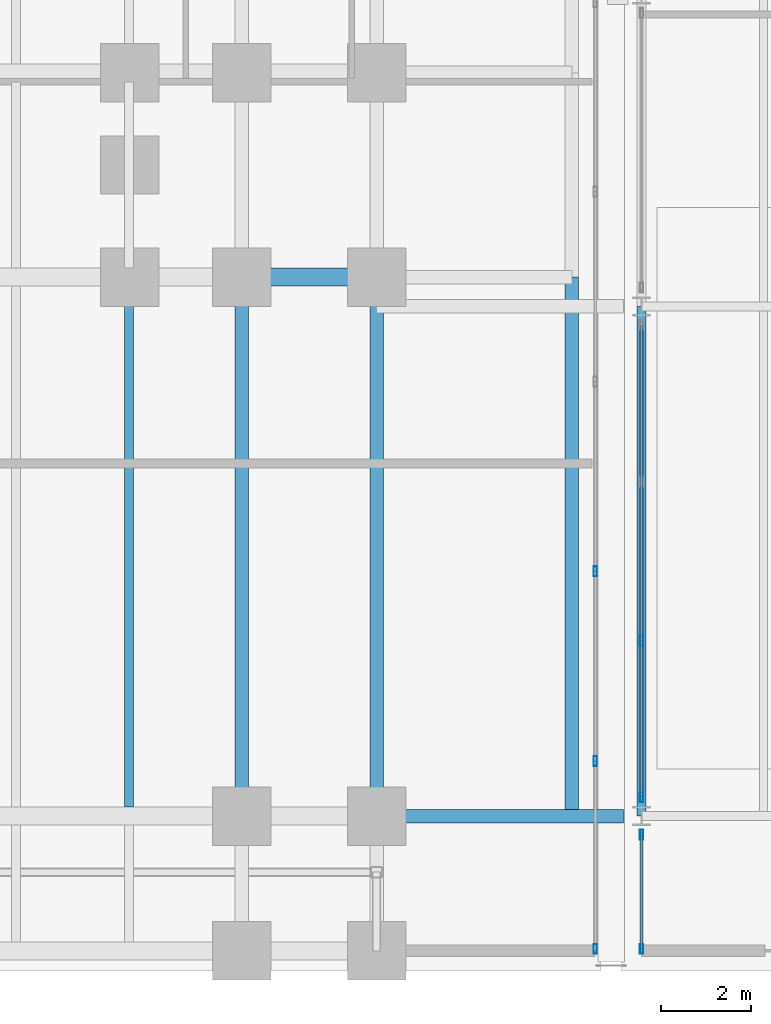
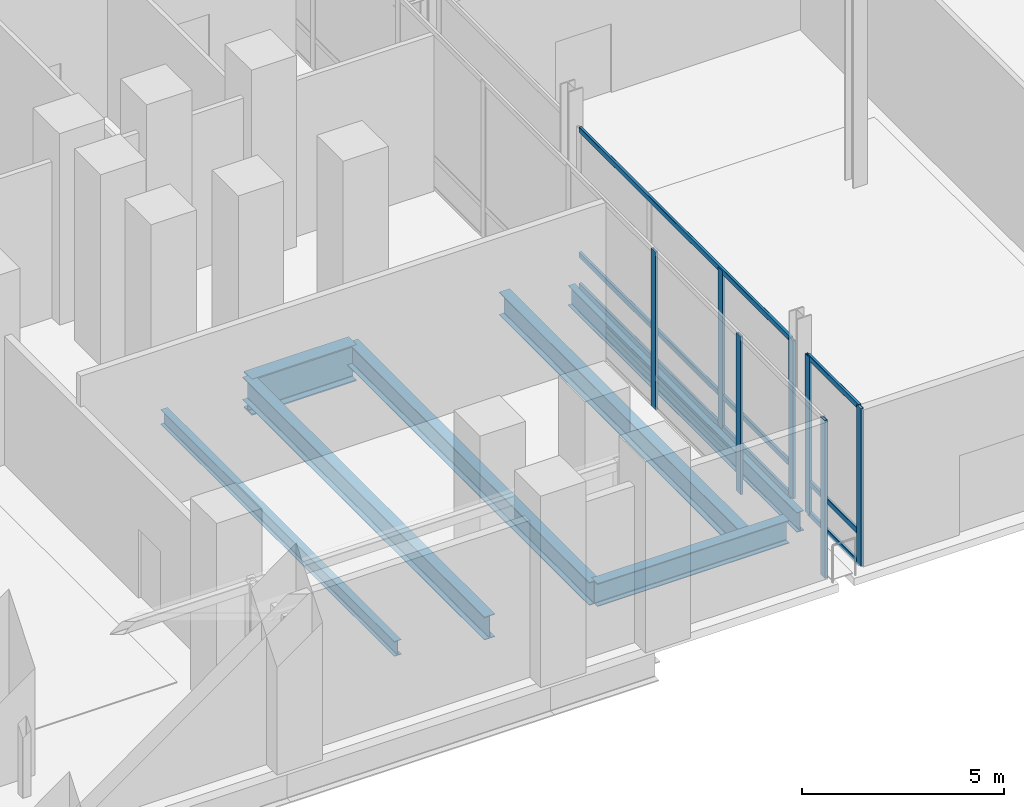
# One storey, part 8 of 36: 13 members, 7 beams, 3 elements without a shape of their own.
"""IFC4 building model written with IfcOpenShell, lengths in metres."""

from ifc_helpers import new_model, si_unit, direction, frame, origin, origin_2d, place, context, subcontext, project, spatial, hollow_rectangle, i_section, extrude, material, material_profile, profile_set, type_object, element, aggregate, save


model = new_model("IFC4")

# Units and contexts
model_context = context("Model", 3, precision=1e-05, world=origin(), true_north=direction((0.0, 1.0)))
body_context = subcontext(model_context, "Body", "Model", "MODEL_VIEW")
ifc_project = project(units=[si_unit("LENGTHUNIT", "METRE"), si_unit("AREAUNIT", "SQUARE_METRE"), si_unit("VOLUMEUNIT", "CUBIC_METRE"), si_unit("PLANEANGLEUNIT", "RADIAN"), si_unit("MASSUNIT", "GRAM", prefix="KILO")], contexts=[model_context])

# Site, building, storey
site_placement = place(None, origin())
site = spatial("IfcSite", under=ifc_project, at=site_placement, CompositionType="ELEMENT")
building_placement = place(site_placement, origin())
building = spatial("IfcBuilding", under=site, at=building_placement, Name="Noeulbin Bourse Tower", CompositionType="ELEMENT")
storey_placement = place(building_placement, origin())
storey = spatial("IfcBuildingStorey", under=building, at=storey_placement, Name="L01", CompositionType="ELEMENT", Elevation=0.0)

# Beams
ifc_material_1 = material(Name="Steel S355", Category="steel")
ifc_material_profile_1 = material_profile(ifc_material_1, i_section(OverallWidth=0.199951171875, OverallDepth=0.60009765625, WebThickness=0.010986328125, FlangeThickness=0.01708984375, FilletRadius=0.02197265625, at=origin_2d()), Name="H-600x200x11x17", Category="LoadBearing")
ifc_profile_set_1 = profile_set([ifc_material_profile_1], Name="Steel S355")
beam_type_1 = type_object("IfcBeamType", Name="BM-GRD-600", PredefinedType="USERDEFINED", material=ifc_profile_set_1)
beam_1_placement = place(storey_placement, frame((60.449951171875, 3.449951171875, -0.52001953125), z_axis=(0.0, 1.0, 0.0), x_axis=(-1.0, 0.0, 0.0)))
element("IfcBeam", 1, at=beam_1_placement, inside=storey, type_object=beam_type_1, Name="Market Hall Girder NS L01-11", ObjectType="GIRDER", PredefinedType="USERDEFINED", context=body_context, shape_type="SweptSolid", body=[
    extrude(i_section(OverallWidth=0.199951171875, OverallDepth=0.60009765625, WebThickness=0.010986328125, FlangeThickness=0.01708984375, FilletRadius=0.02197265625, at=origin_2d()), origin(), (0.0, 0.0, 1.0), 11.35009765625),
])
ifc_material_profile_2 = material_profile(ifc_material_1, i_section(OverallWidth=0.300048828125, OverallDepth=0.699951171875, WebThickness=0.012939453125, FlangeThickness=0.02392578125, FilletRadius=0.02392578125, at=origin_2d()), Name="H-700x300x13x24", Category="LoadBearing")
ifc_profile_set_2 = profile_set([ifc_material_profile_2], Name="Steel S355")
beam_type_2 = type_object("IfcBeamType", Name="BM-GRD-700", PredefinedType="USERDEFINED", material=ifc_profile_set_2)
for number, where, z_axis, x_axis, name in (
    (2, (51.550048828125, 3.449951171875, -0.60009765625), (0.0, 1.0, 0.0), (-1.0, 0.0, 0.0), "Podium Primary Girder NS L01-125"),
    (3, (54.550048828125, 3.449951171875, -0.60009765625), (0.0, 1.0, 0.0), (-1.0, 0.0, 0.0), "Podium Primary Girder NS L01-133"),
):
    element("IfcBeam", number, at=place(storey_placement, frame(where, z_axis=z_axis, x_axis=x_axis)), inside=storey, type_object=beam_type_2, Name=name, ObjectType="GIRDER", PredefinedType="USERDEFINED", context=body_context, shape_type="SweptSolid", body=[
        extrude(i_section(OverallWidth=0.300048828125, OverallDepth=0.699951171875, WebThickness=0.012939453125, FlangeThickness=0.02392578125, FilletRadius=0.02392578125, at=origin_2d()), origin(), (0.0, 0.0, 1.0), 12.0),
    ])
beam_2_placement = place(storey_placement, frame((54.550048828125, 3.449951171875, -0.60009765625), z_axis=(1.0, 0.0, 0.0), x_axis=(0.0, 1.0, 0.0)))
element("IfcBeam", 4, at=beam_2_placement, inside=storey, type_object=beam_type_2, Name="Concourse Slot Girder L01-01", ObjectType="GIRDER", PredefinedType="USERDEFINED", context=body_context, shape_type="SweptSolid", body=[
    extrude(i_section(OverallWidth=0.300048828125, OverallDepth=0.699951171875, WebThickness=0.012939453125, FlangeThickness=0.02392578125, FilletRadius=0.02392578125, at=origin_2d()), origin(), (0.0, 0.0, 1.0), 5.5),
])
beam_3_placement = place(storey_placement, frame((58.89990234375, 3.449951171875, -0.60009765625), z_axis=(0.0, 1.0, 0.0), x_axis=(-1.0, 0.0, 0.0)))
element("IfcBeam", 5, at=beam_3_placement, inside=storey, type_object=beam_type_2, Name="BM-L01-JNT-NS-1", ObjectType="GIRDER", PredefinedType="USERDEFINED", context=body_context, shape_type="SweptSolid", body=[
    extrude(i_section(OverallWidth=0.300048828125, OverallDepth=0.699951171875, WebThickness=0.012939453125, FlangeThickness=0.02392578125, FilletRadius=0.02392578125, at=origin_2d()), origin(), (0.0, 0.0, 1.0), 12.0),
])
ifc_material_profile_3 = material_profile(ifc_material_1, i_section(OverallWidth=0.199951171875, OverallDepth=0.449951171875, WebThickness=0.009033203125, FlangeThickness=0.013916015625, FilletRadius=0.01806640625, at=origin_2d()), Name="H-450x200x9x14", Category="LoadBearing")
ifc_profile_set_3 = profile_set([ifc_material_profile_3], Name="Steel S355")
beam_type_3 = type_object("IfcBeamType", Name="BM-SEC-450", PredefinedType="BEAM", material=ifc_profile_set_3)
beam_4_placement = place(storey_placement, frame((49.033203125, 3.64990234375, -0.47509765625), z_axis=(0.0, 1.0, 0.0), x_axis=(-1.0, 0.0, 0.0)))
element("IfcBeam", 6, at=beam_4_placement, inside=storey, type_object=beam_type_3, Name="Podium Secondary Beam L01-099", PredefinedType="BEAM", context=body_context, shape_type="SweptSolid", body=[
    extrude(i_section(OverallWidth=0.199951171875, OverallDepth=0.449951171875, WebThickness=0.009033203125, FlangeThickness=0.013916015625, FilletRadius=0.01806640625, at=origin_2d()), origin(), (0.0, 0.0, 1.0), 11.60009765625),
])
ifc_material_2 = material(Name="Steel S460", Category="steel")
ifc_material_profile_4 = material_profile(ifc_material_2, i_section(OverallWidth=0.39990234375, OverallDepth=1.10009765625, WebThickness=0.02001953125, FlangeThickness=0.035888671875, FilletRadius=0.02392578125, at=origin_2d()), Name="PG-1100x400x20x36", Category="LoadBearing")
ifc_profile_set_4 = profile_set([ifc_material_profile_4], Name="Steel S460")
beam_type_4 = type_object("IfcBeamType", Name="BM-TRF-1100", PredefinedType="USERDEFINED", material=ifc_profile_set_4)
beam_5_placement = place(storey_placement, frame((51.550048828125, 15.449951171875, -0.800048828125), z_axis=(1.0, 0.0, 0.0), x_axis=(0.0, 1.0, 0.0)))
element("IfcBeam", 7, at=beam_5_placement, inside=storey, type_object=beam_type_4, Name="Podium Primary Girder EW L01-024", ObjectType="GIRDER", PredefinedType="USERDEFINED", context=body_context, shape_type="SweptSolid", body=[
    extrude(i_section(OverallWidth=0.39990234375, OverallDepth=1.10009765625, WebThickness=0.02001953125, FlangeThickness=0.035888671875, FilletRadius=0.02392578125, at=origin_2d()), origin(), (0.0, 0.0, 1.0), 3.0),
])

# Curtain wall, members
ifc_material_3 = material(Name="Laminated Clear Low-E Glass", Category="glass")
curtain_wall_type = type_object("IfcCurtainWallType", Name="CW-SYS-1", PredefinedType="NOTDEFINED", material=ifc_material_3)
curtain_wall_1_placement = place(storey_placement, origin())
curtain_wall_1 = element("IfcCurtainWall", 8, at=curtain_wall_1_placement, inside=storey, type_object=curtain_wall_type, Name="Unitised Curtain Wall CW-L01-GAL-W", PredefinedType="NOTDEFINED")
ifc_material_4 = material(Name="Anodised Aluminium 6063-T6", Category="aluminium")
ifc_material_profile_5 = material_profile(ifc_material_4, hollow_rectangle(XDim=0.074951171875, YDim=0.219970703125, WallThickness=0.0048828125, InnerFilletRadius=0.00244140625, OuterFilletRadius=0.0048828125, at=origin_2d()), Name="ALU-MULL-75x220x5", Category="LoadBearing")
ifc_profile_set_5 = profile_set([ifc_material_profile_5], Name="Anodised Aluminium 6063-T6")
member_type_1 = type_object("IfcMemberType", Name="CW-SYS-1-MUL", PredefinedType="MULLION", material=ifc_profile_set_5)
member_1_placement = place(storey_placement, frame((59.419921875, 0.489990234375, -0.02001953125), z_axis=(0.0, 0.0, 1.0), x_axis=(1.0, 0.0, 0.0)))
member_1 = element("IfcMember", 9, at=member_1_placement, type_object=member_type_1, Name="Curtain Wall Mullion CW-L01-GAL-W-M00", PredefinedType="MULLION", context=body_context, shape_type="SweptSolid", body=[
    extrude(hollow_rectangle(XDim=0.074951171875, YDim=0.219970703125, WallThickness=0.0048828125, InnerFilletRadius=0.00244140625, OuterFilletRadius=0.0048828125, at=origin_2d()), origin(), (0.0, 0.0, 1.0), 4.7900390625),
])
member_2_placement = place(storey_placement, frame((59.419921875, 4.675048828125, -0.02001953125), z_axis=(0.0, 0.0, 1.0), x_axis=(1.0, 0.0, 0.0)))
member_2 = element("IfcMember", 10, at=member_2_placement, type_object=member_type_1, Name="Curtain Wall Mullion CW-L01-GAL-W-M01", PredefinedType="MULLION", context=body_context, shape_type="SweptSolid", body=[
    extrude(hollow_rectangle(XDim=0.074951171875, YDim=0.219970703125, WallThickness=0.0048828125, InnerFilletRadius=0.00244140625, OuterFilletRadius=0.0048828125, at=origin_2d()), origin(), (0.0, 0.0, 1.0), 4.7900390625),
])
member_3_placement = place(storey_placement, frame((59.419921875, 8.89990234375, -0.02001953125), z_axis=(0.0, 0.0, 1.0), x_axis=(1.0, 0.0, 0.0)))
member_3 = element("IfcMember", 11, at=member_3_placement, type_object=member_type_1, Name="Curtain Wall Mullion CW-L01-GAL-W-M02", PredefinedType="MULLION", context=body_context, shape_type="SweptSolid", body=[
    extrude(hollow_rectangle(XDim=0.074951171875, YDim=0.219970703125, WallThickness=0.0048828125, InnerFilletRadius=0.00244140625, OuterFilletRadius=0.0048828125, at=origin_2d()), origin(), (0.0, 0.0, 1.0), 4.7900390625),
])
aggregate(curtain_wall_1, [member_1, member_2, member_3])

curtain_wall_2_placement = place(storey_placement, origin())
curtain_wall_2 = element("IfcCurtainWall", 12, at=curtain_wall_2_placement, inside=storey, type_object=curtain_wall_type, Name="Unitised Curtain Wall CW-L01-GAL-E-S1", PredefinedType="NOTDEFINED")
member_4_placement = place(storey_placement, frame((60.449951171875, 0.489990234375, -0.02001953125), z_axis=(0.0, 0.0, 1.0), x_axis=(1.0, 0.0, 0.0)))
member_4 = element("IfcMember", 13, at=member_4_placement, type_object=member_type_1, Name="Curtain Wall Mullion CW-L01-GAL-E-S1-M00", PredefinedType="MULLION", context=body_context, shape_type="SweptSolid", body=[
    extrude(hollow_rectangle(XDim=0.074951171875, YDim=0.219970703125, WallThickness=0.0048828125, InnerFilletRadius=0.00244140625, OuterFilletRadius=0.0048828125, at=origin_2d()), origin(), (0.0, 0.0, 1.0), 4.7900390625),
])
member_5_placement = place(storey_placement, frame((60.449951171875, 3.035888671875, -0.02001953125), z_axis=(0.0, 0.0, 1.0), x_axis=(1.0, 0.0, 0.0)))
member_5 = element("IfcMember", 14, at=member_5_placement, type_object=member_type_1, Name="Curtain Wall Mullion CW-L01-GAL-E-S1-M01", PredefinedType="MULLION", context=body_context, shape_type="SweptSolid", body=[
    extrude(hollow_rectangle(XDim=0.074951171875, YDim=0.219970703125, WallThickness=0.0048828125, InnerFilletRadius=0.00244140625, OuterFilletRadius=0.0048828125, at=origin_2d()), origin(), (0.0, 0.0, 1.0), 4.7900390625),
])

curtain_wall_3_placement = place(storey_placement, origin())
curtain_wall_3 = element("IfcCurtainWall", 15, at=curtain_wall_3_placement, inside=storey, type_object=curtain_wall_type, Name="Unitised Curtain Wall CW-L01-GAL-E-S2", PredefinedType="NOTDEFINED")
member_6_placement = place(storey_placement, frame((60.449951171875, 3.864013671875, -0.02001953125), z_axis=(0.0, 0.0, 1.0), x_axis=(1.0, 0.0, 0.0)))
member_6 = element("IfcMember", 16, at=member_6_placement, type_object=member_type_1, Name="Curtain Wall Mullion CW-L01-GAL-E-S2-M00", PredefinedType="MULLION", context=body_context, shape_type="SweptSolid", body=[
    extrude(hollow_rectangle(XDim=0.074951171875, YDim=0.219970703125, WallThickness=0.0048828125, InnerFilletRadius=0.00244140625, OuterFilletRadius=0.0048828125, at=origin_2d()), origin(), (0.0, 0.0, 1.0), 4.7900390625),
])
member_7_placement = place(storey_placement, frame((60.449951171875, 7.35791015625, -0.02001953125), z_axis=(0.0, 0.0, 1.0), x_axis=(1.0, 0.0, 0.0)))
member_7 = element("IfcMember", 17, at=member_7_placement, type_object=member_type_1, Name="Curtain Wall Mullion CW-L01-GAL-E-S2-M01", PredefinedType="MULLION", context=body_context, shape_type="SweptSolid", body=[
    extrude(hollow_rectangle(XDim=0.074951171875, YDim=0.219970703125, WallThickness=0.0048828125, InnerFilletRadius=0.00244140625, OuterFilletRadius=0.0048828125, at=origin_2d()), origin(), (0.0, 0.0, 1.0), 4.7900390625),
])

# Member
ifc_material_profile_6 = material_profile(ifc_material_4, hollow_rectangle(XDim=0.074951171875, YDim=0.159912109375, WallThickness=0.0048828125, InnerFilletRadius=0.00244140625, OuterFilletRadius=0.0048828125, at=origin_2d()), Name="ALU-TRAN-75x160x5", Category="LoadBearing")
ifc_profile_set_6 = profile_set([ifc_material_profile_6], Name="Anodised Aluminium 6063-T6")
member_type_2 = type_object("IfcMemberType", Name="CW-SYS-1-TRN", PredefinedType="USERDEFINED", material=ifc_profile_set_6)
member_8_placement = place(storey_placement, frame((60.449951171875, 0.5, 0.010009765625), z_axis=(0.0, 1.0, 0.0), x_axis=(-1.0, 0.0, 0.0)))
member_8 = element("IfcMember", 18, at=member_8_placement, type_object=member_type_2, Name="Curtain Wall Transom CW-L01-GAL-E-S1-T00", ObjectType="TRANSOM", PredefinedType="USERDEFINED", context=body_context, shape_type="SweptSolid", body=[
    extrude(hollow_rectangle(XDim=0.074951171875, YDim=0.159912109375, WallThickness=0.0048828125, InnerFilletRadius=0.00244140625, OuterFilletRadius=0.0048828125, at=origin_2d()), origin(), (0.0, 0.0, 1.0), 2.52587890625),
])

member_9_placement = place(storey_placement, frame((60.449951171875, 0.5, 0.949951171875), z_axis=(0.0, 1.0, 0.0), x_axis=(-1.0, 0.0, 0.0)))
member_9 = element("IfcMember", 19, at=member_9_placement, type_object=member_type_2, Name="Curtain Wall Transom CW-L01-GAL-E-S1-T01", ObjectType="TRANSOM", PredefinedType="USERDEFINED", context=body_context, shape_type="SweptSolid", body=[
    extrude(hollow_rectangle(XDim=0.074951171875, YDim=0.159912109375, WallThickness=0.0048828125, InnerFilletRadius=0.00244140625, OuterFilletRadius=0.0048828125, at=origin_2d()), origin(), (0.0, 0.0, 1.0), 2.52587890625),
])

member_10_placement = place(storey_placement, frame((60.449951171875, 0.5, 4.739990234375), z_axis=(0.0, 1.0, 0.0), x_axis=(-1.0, 0.0, 0.0)))
member_10 = element("IfcMember", 20, at=member_10_placement, type_object=member_type_2, Name="Curtain Wall Transom CW-L01-GAL-E-S1-T02", ObjectType="TRANSOM", PredefinedType="USERDEFINED", context=body_context, shape_type="SweptSolid", body=[
    extrude(hollow_rectangle(XDim=0.074951171875, YDim=0.159912109375, WallThickness=0.0048828125, InnerFilletRadius=0.00244140625, OuterFilletRadius=0.0048828125, at=origin_2d()), origin(), (0.0, 0.0, 1.0), 2.52587890625),
])

aggregate(curtain_wall_2, [member_4, member_5, member_8, member_9, member_10])

member_11_placement = place(storey_placement, frame((60.449951171875, 3.8740234375, 0.010009765625), z_axis=(0.0, 1.0, 0.0), x_axis=(-1.0, 0.0, 0.0)))
member_11 = element("IfcMember", 21, at=member_11_placement, type_object=member_type_2, Name="Curtain Wall Transom CW-L01-GAL-E-S2-T00", ObjectType="TRANSOM", PredefinedType="USERDEFINED", context=body_context, shape_type="SweptSolid", body=[
    extrude(hollow_rectangle(XDim=0.074951171875, YDim=0.159912109375, WallThickness=0.0048828125, InnerFilletRadius=0.00244140625, OuterFilletRadius=0.0048828125, at=origin_2d()), origin(), (0.0, 0.0, 1.0), 10.501953125),
])

member_12_placement = place(storey_placement, frame((60.449951171875, 3.8740234375, 0.949951171875), z_axis=(0.0, 1.0, 0.0), x_axis=(-1.0, 0.0, 0.0)))
member_12 = element("IfcMember", 22, at=member_12_placement, type_object=member_type_2, Name="Curtain Wall Transom CW-L01-GAL-E-S2-T01", ObjectType="TRANSOM", PredefinedType="USERDEFINED", context=body_context, shape_type="SweptSolid", body=[
    extrude(hollow_rectangle(XDim=0.074951171875, YDim=0.159912109375, WallThickness=0.0048828125, InnerFilletRadius=0.00244140625, OuterFilletRadius=0.0048828125, at=origin_2d()), origin(), (0.0, 0.0, 1.0), 10.501953125),
])

member_13_placement = place(storey_placement, frame((60.449951171875, 3.8740234375, 4.739990234375), z_axis=(0.0, 1.0, 0.0), x_axis=(-1.0, 0.0, 0.0)))
member_13 = element("IfcMember", 23, at=member_13_placement, type_object=member_type_2, Name="Curtain Wall Transom CW-L01-GAL-E-S2-T02", ObjectType="TRANSOM", PredefinedType="USERDEFINED", context=body_context, shape_type="SweptSolid", body=[
    extrude(hollow_rectangle(XDim=0.074951171875, YDim=0.159912109375, WallThickness=0.0048828125, InnerFilletRadius=0.00244140625, OuterFilletRadius=0.0048828125, at=origin_2d()), origin(), (0.0, 0.0, 1.0), 10.501953125),
])

aggregate(curtain_wall_3, [member_6, member_7, member_11, member_12, member_13])

save(model, "model.ifc")
